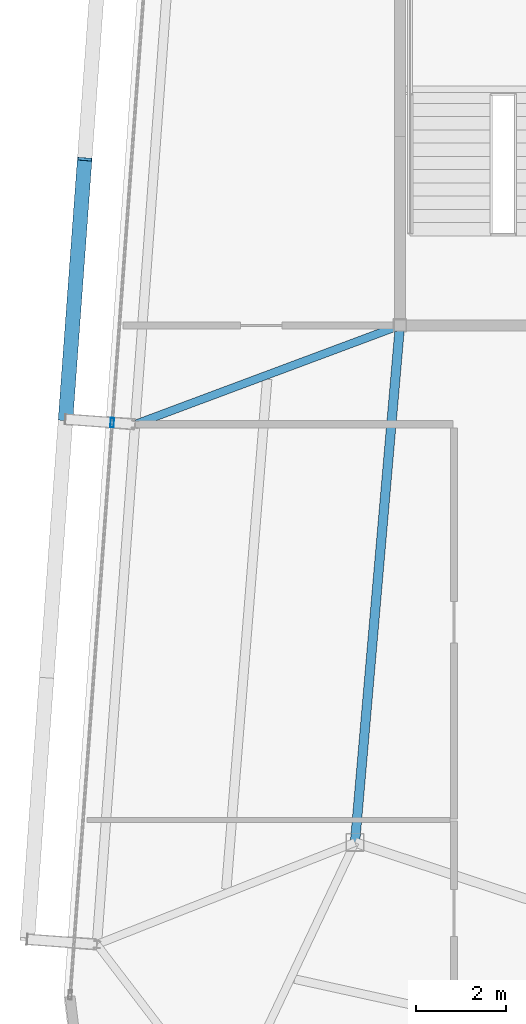
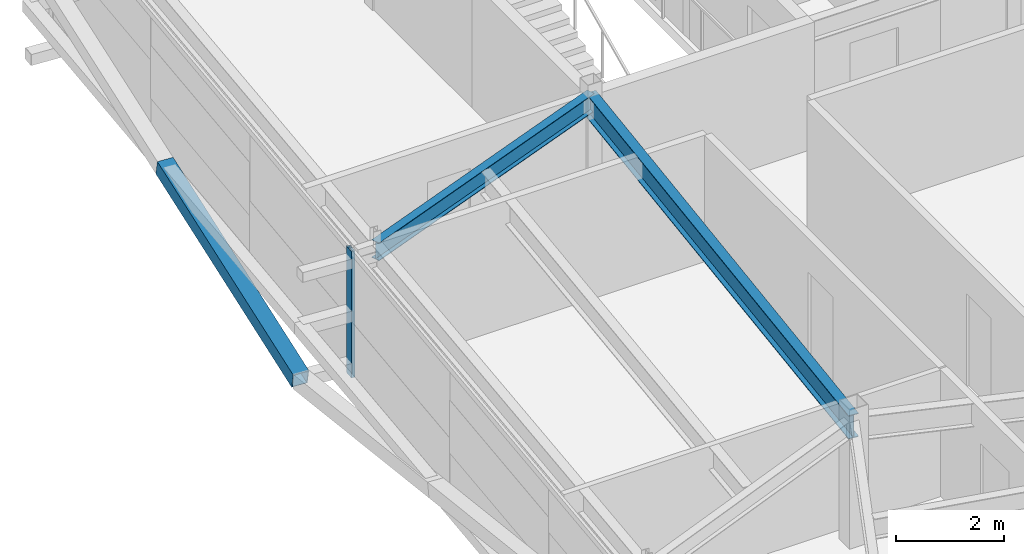
# One storey, part 15 of 40: 2 beams, 2 members, 1 element without a shape of its own.
"""IFC4 building model written with IfcOpenShell, lengths in metres."""

from ifc_helpers import new_model, si_unit, direction, frame, origin, origin_2d, place, context, subcontext, project, spatial, hollow_rectangle, i_section, extrude, source, transform, mapped, material, layer, layer_set, material_profile, profile_set, type_object, element, aggregate, save


model = new_model("IFC4")

# Units and contexts
model_context = context("Model", 3, precision=1e-05, world=origin(), true_north=direction((0.0, 1.0)))
body_context = subcontext(model_context, "Body", "Model", "MODEL_VIEW")
ifc_project = project(units=[si_unit("LENGTHUNIT", "METRE"), si_unit("AREAUNIT", "SQUARE_METRE"), si_unit("VOLUMEUNIT", "CUBIC_METRE"), si_unit("PLANEANGLEUNIT", "RADIAN"), si_unit("MASSUNIT", "GRAM", prefix="KILO")], contexts=[model_context])

# Site, building, storey
site_placement = place(None, origin())
site = spatial("IfcSite", under=ifc_project, at=site_placement, CompositionType="ELEMENT")
building_placement = place(site_placement, origin())
building = spatial("IfcBuilding", under=site, at=building_placement, Name="Taldren Reach Tower", CompositionType="ELEMENT")
storey_placement = place(building_placement, frame((0.0, 0.0, 233.449951171875)))
storey = spatial("IfcBuildingStorey", under=building, at=storey_placement, Name="L71", CompositionType="ELEMENT", Elevation=233.449951171875)

# Beams
ifc_material_1 = material(Name="Steel Gr 350 (350PLUS)", Category="steel")
ifc_material_profile_1 = material_profile(ifc_material_1, i_section(OverallWidth=0.208984375, OverallDepth=0.532958984375, WebThickness=0.01025390625, FlangeThickness=0.015625, at=origin_2d()), Name="530UB92.4")
ifc_profile_set_1 = profile_set([ifc_material_profile_1], Name="Steel Gr 350 (350PLUS)")
beam_type_1 = type_object("IfcBeamType", Name="BM-UB530A", PredefinedType="BEAM", material=ifc_profile_set_1)
shared_shape_1 = source(origin(), body_context, "Body", "SweptSolid", [
    extrude(i_section(OverallWidth=0.208984375, OverallDepth=0.532958984375, WebThickness=0.01025390625, FlangeThickness=0.015625, at=origin_2d()), origin(), (0.0, 0.0, 1.0), 11.54345703125),
])
beam_1_placement = place(storey_placement, frame((19.0, 24.0, 2.603515625), z_axis=(-0.086629616365, -0.996240588196, 0.0), x_axis=(0.996240588196, -0.086629616365, 0.0)))
element("IfcBeam", 1, at=beam_1_placement, inside=storey, type_object=beam_type_1, Name="Core-spine girder L71-SP09", PredefinedType="BEAM", context=body_context, shape_type="MappedRepresentation", body=[
    mapped(shared_shape_1, transform((0.0, 0.0, 0.0), scale=1.0)),
])
ifc_material_profile_2 = material_profile(ifc_material_1, i_section(OverallWidth=0.177978515625, OverallDepth=0.406005859375, WebThickness=0.0078125, FlangeThickness=0.0126953125, at=origin_2d()), Name="410UB59.7")
ifc_profile_set_2 = profile_set([ifc_material_profile_2], Name="Steel Gr 350 (350PLUS)")
beam_type_2 = type_object("IfcBeamType", Name="BM-UB410", PredefinedType="BEAM", material=ifc_profile_set_2)
shared_shape_2 = source(origin(), body_context, "Body", "SweptSolid", [
    extrude(i_section(OverallWidth=0.177978515625, OverallDepth=0.406005859375, WebThickness=0.0078125, FlangeThickness=0.0126953125, at=origin_2d()), origin(), (0.0, 0.0, 1.0), 6.28857421875),
])
beam_2_placement = place(storey_placement, frame((19.0, 24.0, 2.6669921875), z_axis=(-0.936827605945, -0.349791418904, 0.0), x_axis=(0.349791418904, -0.936827605945, 0.0)))
element("IfcBeam", 2, at=beam_2_placement, inside=storey, type_object=beam_type_2, Name="Primary floor girder B5-W2 L71", PredefinedType="BEAM", context=body_context, shape_type="MappedRepresentation", body=[
    mapped(shared_shape_2, transform((0.0, 0.0, 0.0), scale=1.0)),
])

# Member
ifc_material_2 = material(Name="Steel Gr 450 (C450L0)", Category="steel")
ifc_material_profile_3 = material_profile(ifc_material_2, hollow_rectangle(XDim=0.324951171875, YDim=0.324951171875, WallThickness=0.0126953125, at=origin_2d()), Name="325x325x12.7SHS")
ifc_profile_set_3 = profile_set([ifc_material_profile_3], Name="Steel Gr 450 (C450L0)")
member_type_1 = type_object("IfcMemberType", Name="MB-BR324", PredefinedType="BRACE", material=ifc_profile_set_3)
shared_shape_3 = source(origin(), body_context, "Body", "SweptSolid", [
    extrude(hollow_rectangle(XDim=0.324951171875, YDim=0.324951171875, WallThickness=0.0126953125, at=origin_2d()), origin(), (0.0, 0.0, 1.0), 5.919921875),
])
member_1_placement = place(storey_placement, frame((11.562744140625, 21.913818359375, 0.219970703125), z_axis=(0.071759614668, 0.977126753058, 0.200184580228), x_axis=(-0.997314185625, 0.073242167855, 0.0)))
element("IfcMember", 3, at=member_1_placement, inside=storey, type_object=member_type_1, Name="Exoskeleton Diagrid Brace B5-W2 L71", PredefinedType="BRACE", context=body_context, shape_type="MappedRepresentation", body=[
    mapped(shared_shape_3, transform((0.0, 0.0, 0.0), scale=1.0)),
])

# Curtain wall, member
ifc_material_3 = material(Name="Aluminium and Low-E Glass Unitised System", Category="aluminium")
ifc_layer = layer(ifc_material_3, 0.159912109375)
ifc_layer_set = layer_set([ifc_layer], Name="Aluminium and Low-E Glass Unitised System")
curtain_wall_type = type_object("IfcCurtainWallType", Name="CW-SYS-7", PredefinedType="NOTDEFINED", material=ifc_layer_set)
curtain_wall_placement = place(storey_placement, origin())
curtain_wall = element("IfcCurtainWall", 4, at=curtain_wall_placement, inside=storey, type_object=curtain_wall_type, Name="Unitised curtain wall CW-L71-W", PredefinedType="NOTDEFINED")
ifc_material_4 = material(Name="Anodised Aluminium 6063-T6", Category="aluminium")
ifc_material_profile_4 = material_profile(ifc_material_4, hollow_rectangle(XDim=0.074951171875, YDim=0.2099609375, WallThickness=0.00439453125, at=origin_2d()), Name="ALU-210x75x4.5RHS")
ifc_profile_set_4 = profile_set([ifc_material_profile_4], Name="Anodised Aluminium 6063-T6")
member_type_2 = type_object("IfcMemberType", Name="CW-MUL-200", PredefinedType="MULLION", material=ifc_profile_set_4)
shared_shape_4 = source(origin(), body_context, "Body", "SweptSolid", [
    extrude(hollow_rectangle(XDim=0.074951171875, YDim=0.2099609375, WallThickness=0.00439453125, at=origin_2d()), origin(), (0.0, 0.0, 1.0), 2.8701171875),
])
member_2_placement = place(storey_placement, frame((12.60009765625, 21.837646484375, 0.0), z_axis=(0.0, 0.0, 1.0), x_axis=(0.997314470951, -0.073238282558, 0.0)))
member_2 = element("IfcMember", 5, at=member_2_placement, type_object=member_type_2, Name="CW-7 mullion 2", PredefinedType="MULLION", context=body_context, shape_type="MappedRepresentation", body=[
    mapped(shared_shape_4, transform((0.0, 0.0, 0.0), scale=1.0)),
])
aggregate(curtain_wall, [member_2])

save(model, "model.ifc")
